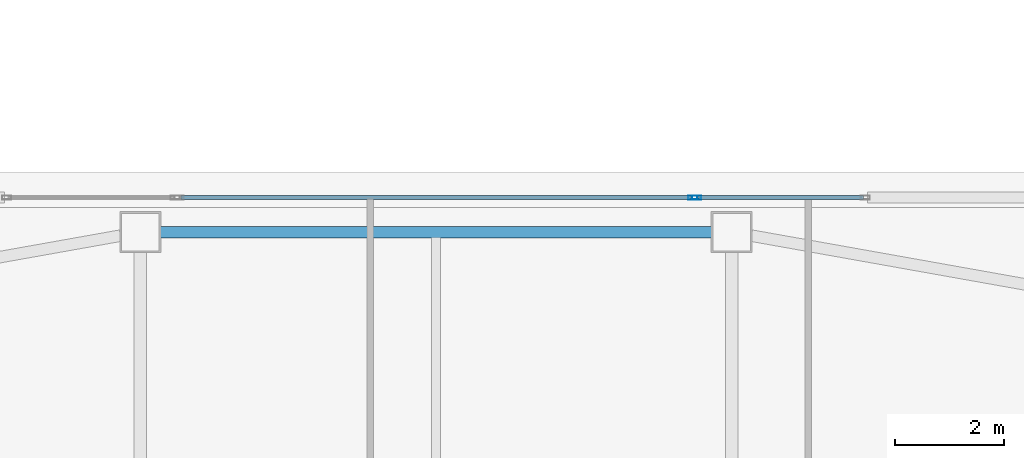
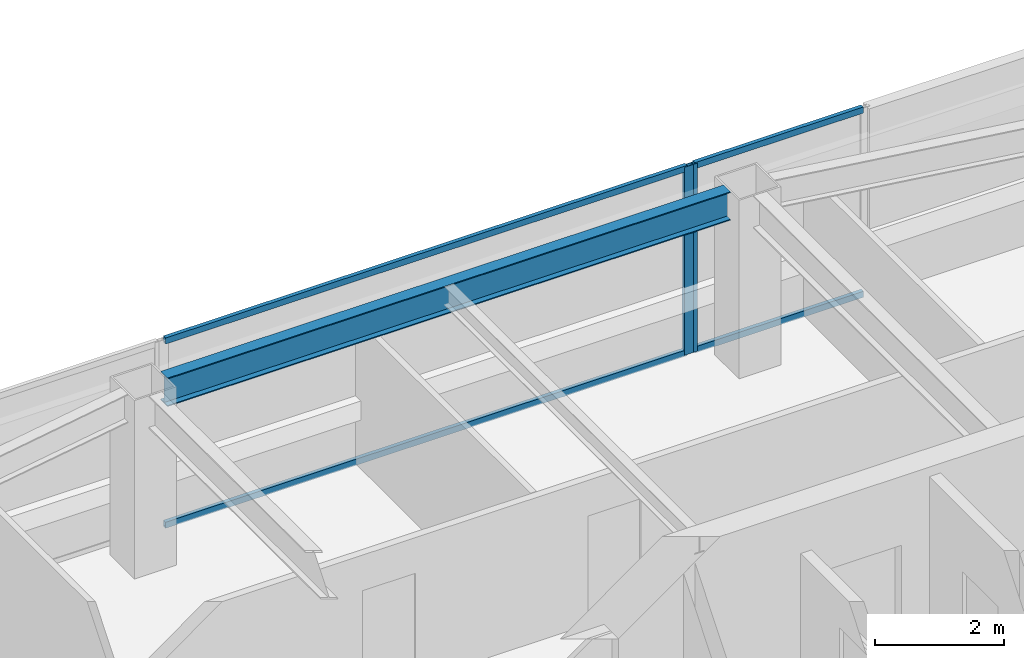
# One storey, part 14 of 39: 6 members, 1 beam, 2 elements without a shape of their own.
"""IFC4 building model written with IfcOpenShell, lengths in metres."""

from ifc_helpers import new_model, si_unit, direction, frame, origin, origin_2d, place, context, subcontext, project, spatial, hollow_rectangle, i_section, extrude, material, material_profile, profile_set, type_object, element, aggregate, save


model = new_model("IFC4")

# Units and contexts
model_context = context("Model", 3, precision=1e-05, world=origin(), true_north=direction((0.0, 1.0)))
body_context = subcontext(model_context, "Body", "Model", "MODEL_VIEW")
ifc_project = project(units=[si_unit("LENGTHUNIT", "METRE"), si_unit("AREAUNIT", "SQUARE_METRE"), si_unit("VOLUMEUNIT", "CUBIC_METRE"), si_unit("PLANEANGLEUNIT", "RADIAN"), si_unit("MASSUNIT", "GRAM", prefix="KILO")], contexts=[model_context])

# Site, building, storey
site_placement = place(None, origin())
site = spatial("IfcSite", under=ifc_project, at=site_placement, CompositionType="ELEMENT")
building_placement = place(site_placement, origin())
building = spatial("IfcBuilding", under=site, at=building_placement, Name="Tashvorn Skyway Center", CompositionType="ELEMENT")
storey_placement = place(building_placement, frame((0.0, 0.0, 225.5)))
storey = spatial("IfcBuildingStorey", under=building, at=storey_placement, Name="L61", CompositionType="ELEMENT", Elevation=225.5)

# Beam
ifc_material_1 = material(Name="Steel ASTM A992 Grade 50", Category="steel")
ifc_material_profile_1 = material_profile(ifc_material_1, i_section(OverallWidth=0.2109375, OverallDepth=0.5390625, WebThickness=0.01171875, FlangeThickness=0.018798828125, at=origin_2d()), Name="W21X73")
ifc_profile_set_1 = profile_set([ifc_material_profile_1], Name="Steel ASTM A992 Grade 50")
beam_type = type_object("IfcBeamType", Name="BM-SPANDREL-W21X73", PredefinedType="SPANDREL", material=ifc_profile_set_1)
beam_placement = place(storey_placement, frame((47.030029296875, 47.64990234375, 3.1005859375), z_axis=(-1.0, 0.0, 0.0), x_axis=(0.0, -1.0, 0.0)))
element("IfcBeam", 1, at=beam_placement, inside=storey, type_object=beam_type, Name="Tower 1 L61 Spandrel Beam 08", PredefinedType="SPANDREL", context=body_context, shape_type="SweptSolid", body=[
    extrude(i_section(OverallWidth=0.2109375, OverallDepth=0.5390625, WebThickness=0.01171875, FlangeThickness=0.018798828125, at=origin_2d()), origin(), (0.0, 0.0, 1.0), 10.06005859375),
])

# Curtain wall, member
ifc_material_2 = material(Name="Thermally broken bronze-anodized aluminium 6063-T6", Category="aluminium")
curtain_wall_type = type_object("IfcCurtainWallType", Name="CW-CW-Z5", PredefinedType="NOTDEFINED", material=ifc_material_2)
curtain_wall_1_placement = place(storey_placement, origin())
curtain_wall_1 = element("IfcCurtainWall", 2, at=curtain_wall_1_placement, inside=storey, type_object=curtain_wall_type, Name="Tower 1 L61 North Unitised Curtain Wall Glazing Group 2", PredefinedType="NOTDEFINED")
ifc_material_profile_2 = material_profile(ifc_material_2, hollow_rectangle(XDim=0.070068359375, YDim=0.1650390625, WallThickness=0.00390625, at=origin_2d()), Name="ALU-MULL-70x165")
ifc_profile_set_2 = profile_set([ifc_material_profile_2], Name="Thermally broken bronze-anodized aluminium 6063-T6")
member_type_1 = type_object("IfcMemberType", Name="CWM-CW-Z5", PredefinedType="MULLION", material=ifc_profile_set_2)
member_1_placement = place(storey_placement, frame((46.691650390625, 48.280029296875, 0.0), z_axis=(0.0, 0.0, 1.0), x_axis=(0.0, 1.0, 0.0)))
member_1 = element("IfcMember", 3, at=member_1_placement, type_object=member_type_1, Name="CW-Z5 mullion 2", PredefinedType="MULLION", context=body_context, shape_type="SweptSolid", body=[
    extrude(hollow_rectangle(XDim=0.070068359375, YDim=0.1650390625, WallThickness=0.00390625, at=origin_2d()), origin(), (0.0, 0.0, 1.0), 3.550048828125),
])

curtain_wall_2_placement = place(storey_placement, origin())
curtain_wall_2 = element("IfcCurtainWall", 4, at=curtain_wall_2_placement, inside=storey, type_object=curtain_wall_type, Name="Tower 1 L61 North Unitised Curtain Wall Glazing Group 3", PredefinedType="NOTDEFINED")
member_2_placement = place(storey_placement, frame((46.76171875, 48.280029296875, 0.0), z_axis=(0.0, 0.0, 1.0), x_axis=(0.0, 1.0, 0.0)))
member_2 = element("IfcMember", 5, at=member_2_placement, type_object=member_type_1, Name="CW-Z5 mullion 1", PredefinedType="MULLION", context=body_context, shape_type="SweptSolid", body=[
    extrude(hollow_rectangle(XDim=0.070068359375, YDim=0.1650390625, WallThickness=0.00390625, at=origin_2d()), origin(), (0.0, 0.0, 1.0), 3.550048828125),
])

# Member
ifc_material_profile_3 = material_profile(ifc_material_2, hollow_rectangle(XDim=0.070068359375, YDim=0.114990234375, WallThickness=0.00390625, at=origin_2d()), Name="ALU-TRAN-70x115")
ifc_profile_set_3 = profile_set([ifc_material_profile_3], Name="Thermally broken bronze-anodized aluminium 6063-T6")
member_type_2 = type_object("IfcMemberType", Name="CWT-CW-Z5", PredefinedType="USERDEFINED", material=ifc_profile_set_3)
member_3_placement = place(storey_placement, frame((37.34326171875, 48.280029296875, 0.034912109375), z_axis=(1.0, 0.0, 0.0), x_axis=(0.0, 1.0, 0.0)))
member_3 = element("IfcMember", 6, at=member_3_placement, type_object=member_type_2, Name="CW-Z5 transom 1.1", ObjectType="TRANSOM", PredefinedType="USERDEFINED", context=body_context, shape_type="SweptSolid", body=[
    extrude(hollow_rectangle(XDim=0.070068359375, YDim=0.114990234375, WallThickness=0.00390625, at=origin_2d()), origin(), (0.0, 0.0, 1.0), 9.3134765625),
])

member_4_placement = place(storey_placement, frame((37.34326171875, 48.280029296875, 3.514892578125), z_axis=(1.0, 0.0, 0.0), x_axis=(0.0, 1.0, 0.0)))
member_4 = element("IfcMember", 7, at=member_4_placement, type_object=member_type_2, Name="CW-Z5 transom 1.2", ObjectType="TRANSOM", PredefinedType="USERDEFINED", context=body_context, shape_type="SweptSolid", body=[
    extrude(hollow_rectangle(XDim=0.070068359375, YDim=0.114990234375, WallThickness=0.00390625, at=origin_2d()), origin(), (0.0, 0.0, 1.0), 9.3134765625),
])

aggregate(curtain_wall_1, [member_1, member_3, member_4])

member_5_placement = place(storey_placement, frame((46.796630859375, 48.280029296875, 0.034912109375), z_axis=(1.0, 0.0, 0.0), x_axis=(0.0, 1.0, 0.0)))
member_5 = element("IfcMember", 8, at=member_5_placement, type_object=member_type_2, Name="CW-Z5 transom 1.1", ObjectType="TRANSOM", PredefinedType="USERDEFINED", context=body_context, shape_type="SweptSolid", body=[
    extrude(hollow_rectangle(XDim=0.070068359375, YDim=0.114990234375, WallThickness=0.00390625, at=origin_2d()), origin(), (0.0, 0.0, 1.0), 3.01123046875),
])

member_6_placement = place(storey_placement, frame((46.796630859375, 48.280029296875, 3.514892578125), z_axis=(1.0, 0.0, 0.0), x_axis=(0.0, 1.0, 0.0)))
member_6 = element("IfcMember", 9, at=member_6_placement, type_object=member_type_2, Name="CW-Z5 transom 1.2", ObjectType="TRANSOM", PredefinedType="USERDEFINED", context=body_context, shape_type="SweptSolid", body=[
    extrude(hollow_rectangle(XDim=0.070068359375, YDim=0.114990234375, WallThickness=0.00390625, at=origin_2d()), origin(), (0.0, 0.0, 1.0), 3.01123046875),
])

aggregate(curtain_wall_2, [member_2, member_5, member_6])

save(model, "model.ifc")
